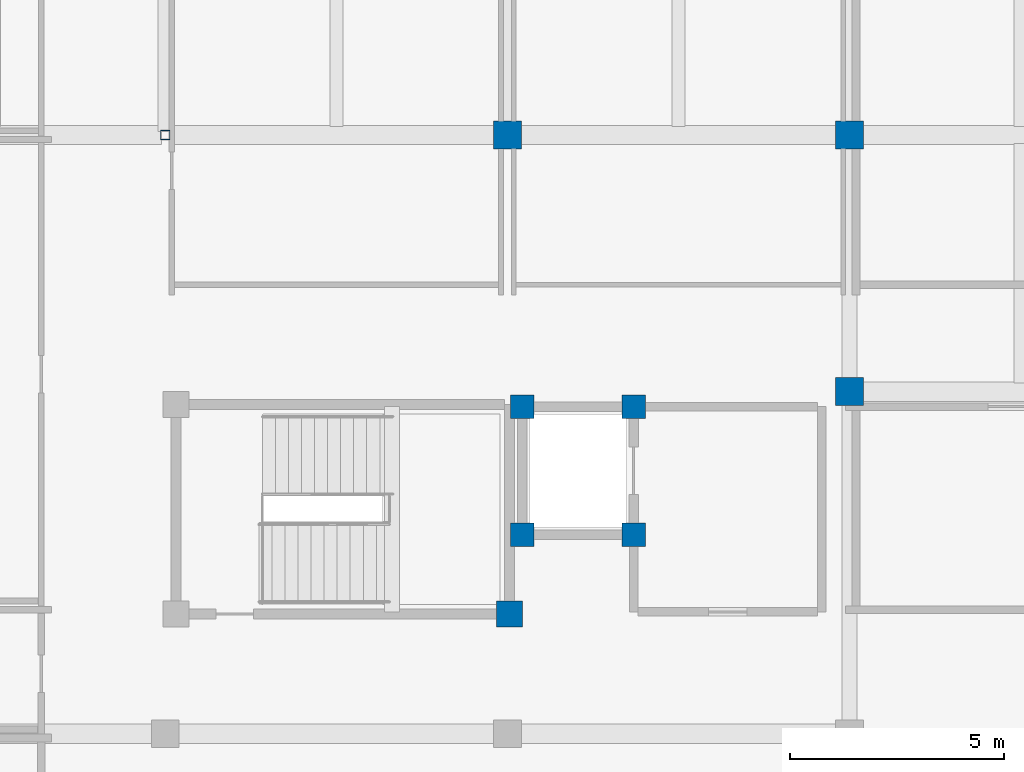
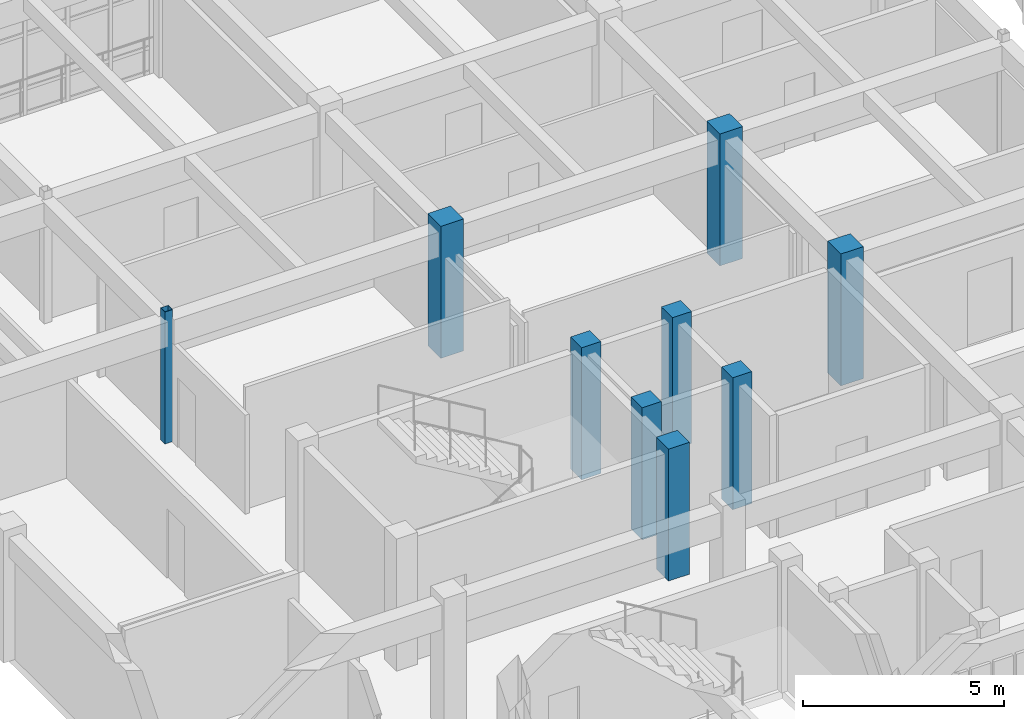
# One storey, part 2 of 149: 9 columns.
"""IFC4 building model written with IfcOpenShell, lengths in metres."""

from ifc_helpers import new_model, si_unit, direction, frame, origin, origin_2d, place, context, subcontext, project, spatial, rectangle, hollow_rectangle, extrude, material, material_profile, profile_set, type_object, element, save


model = new_model("IFC4")

# Units and contexts
model_context = context("Model", 3, precision=1e-05, world=origin(), true_north=direction((0.0, 1.0)))
body_context = subcontext(model_context, "Body", "Model", "MODEL_VIEW")
ifc_project = project(units=[si_unit("LENGTHUNIT", "METRE"), si_unit("AREAUNIT", "SQUARE_METRE"), si_unit("VOLUMEUNIT", "CUBIC_METRE"), si_unit("PLANEANGLEUNIT", "RADIAN"), si_unit("MASSUNIT", "GRAM", prefix="KILO")], contexts=[model_context])

# Site, building, storey
site_placement = place(None, origin())
site = spatial("IfcSite", under=ifc_project, at=site_placement, CompositionType="ELEMENT")
building_placement = place(site_placement, origin())
building = spatial("IfcBuilding", under=site, at=building_placement, Name="Celadon Cloister-Ring School", CompositionType="ELEMENT")
storey_placement = place(building_placement, frame((0.0, 0.0, 12.5)))
storey = spatial("IfcBuildingStorey", under=building, at=storey_placement, Name="L03", CompositionType="ELEMENT", Elevation=12.5)

# Columns
ifc_material_1 = material(Name="Concrete C40/50", Category="concrete")
ifc_material_profile_1 = material_profile(ifc_material_1, rectangle(XDim=0.64990234375, YDim=0.64990234375, at=origin_2d()), Name="RC650X650")
ifc_profile_set_1 = profile_set([ifc_material_profile_1], Name="Concrete C40/50")
column_type_1 = type_object("IfcColumnType", Name="CT-03", PredefinedType="COLUMN", material=ifc_profile_set_1)
for number, where, z_axis, x_axis, name in (
    (1, (16.0, 62.0, 0.0), (0.0, 0.0, 1.0), (1.0, 0.0, 0.0), "Column 1101"),
    (2, (24.0, 56.0, 0.0), (0.0, 0.0, 1.0), (1.0, 0.0, 0.0), "Column 1129"),
    (3, (24.0, 62.0, 0.0), (0.0, 0.0, 1.0), (1.0, 0.0, 0.0), "Column 1135"),
):
    element("IfcColumn", number, at=place(storey_placement, frame(where, z_axis=z_axis, x_axis=x_axis)), inside=storey, type_object=column_type_1, Name=name, PredefinedType="COLUMN", context=body_context, shape_type="SweptSolid", body=[
        extrude(rectangle(XDim=0.64990234375, YDim=0.64990234375, at=origin_2d()), origin(), (0.0, 0.0, 1.0), 4.0),
    ])
ifc_material_2 = material(Name="Concrete C40/50", Category="concrete")
ifc_material_profile_2 = material_profile(ifc_material_2, rectangle(XDim=0.60009765625, YDim=0.60009765625, at=origin_2d()), Name="RC600X600")
ifc_profile_set_2 = profile_set([ifc_material_profile_2], Name="Concrete C40/50")
column_type_2 = type_object("IfcColumnType", Name="CT-04", PredefinedType="COLUMN", material=ifc_profile_set_2)
column_1_placement = place(storey_placement, frame((16.050048828125, 50.800048828125, 0.0), z_axis=(0.0, 0.0, 1.0), x_axis=(1.0, 0.0, 0.0)))
element("IfcColumn", 4, at=column_1_placement, inside=storey, type_object=column_type_2, Name="Column 0150", PredefinedType="COLUMN", context=body_context, shape_type="SweptSolid", body=[
    extrude(rectangle(XDim=0.60009765625, YDim=0.60009765625, at=origin_2d()), origin(), (0.0, 0.0, 1.0), 4.0),
])
ifc_material_3 = material(Name="Concrete C40/50", Category="concrete")
ifc_material_profile_3 = material_profile(ifc_material_3, rectangle(XDim=0.550048828125, YDim=0.550048828125, at=origin_2d()), Name="RC550X550")
ifc_profile_set_3 = profile_set([ifc_material_profile_3], Name="Concrete C40/50")
column_type_3 = type_object("IfcColumnType", Name="CT-05", PredefinedType="COLUMN", material=ifc_profile_set_3)
for number, where, z_axis, x_axis, name in (
    (5, (16.35009765625, 52.64990234375, 0.0), (0.0, 0.0, 1.0), (1.0, 0.0, 0.0), "Column 0239"),
    (6, (18.949951171875, 52.64990234375, 0.0), (0.0, 0.0, 1.0), (1.0, 0.0, 0.0), "Column 0245"),
    (7, (18.949951171875, 55.64990234375, 0.0), (0.0, 0.0, 1.0), (1.0, 0.0, 0.0), "Column 0251"),
    (8, (16.35009765625, 55.64990234375, 0.0), (0.0, 0.0, 1.0), (1.0, 0.0, 0.0), "Column 0257"),
):
    element("IfcColumn", number, at=place(storey_placement, frame(where, z_axis=z_axis, x_axis=x_axis)), inside=storey, type_object=column_type_3, Name=name, PredefinedType="COLUMN", context=body_context, shape_type="SweptSolid", body=[
        extrude(rectangle(XDim=0.550048828125, YDim=0.550048828125, at=origin_2d()), origin(), (0.0, 0.0, 1.0), 4.0),
    ])
ifc_material_4 = material(Name="Structural steel S355JR", Category="steel")
ifc_material_profile_4 = material_profile(ifc_material_4, hollow_rectangle(XDim=0.219970703125, YDim=0.219970703125, WallThickness=0.010009765625, at=origin_2d()), Name="HSS220X220X10")
ifc_profile_set_4 = profile_set([ifc_material_profile_4], Name="Structural steel S355JR")
column_type_4 = type_object("IfcColumnType", Name="CT-09", PredefinedType="COLUMN", material=ifc_profile_set_4)
column_2_placement = place(storey_placement, frame((8.0, 62.0, 0.0), z_axis=(0.0, 0.0, 1.0), x_axis=(1.0, 0.0, 0.0)))
element("IfcColumn", 9, at=column_2_placement, inside=storey, type_object=column_type_4, Name="Column 1186", PredefinedType="COLUMN", context=body_context, shape_type="SweptSolid", body=[
    extrude(hollow_rectangle(XDim=0.219970703125, YDim=0.219970703125, WallThickness=0.010009765625, at=origin_2d()), origin(), (0.0, 0.0, 1.0), 4.0),
])

save(model, "model.ifc")
